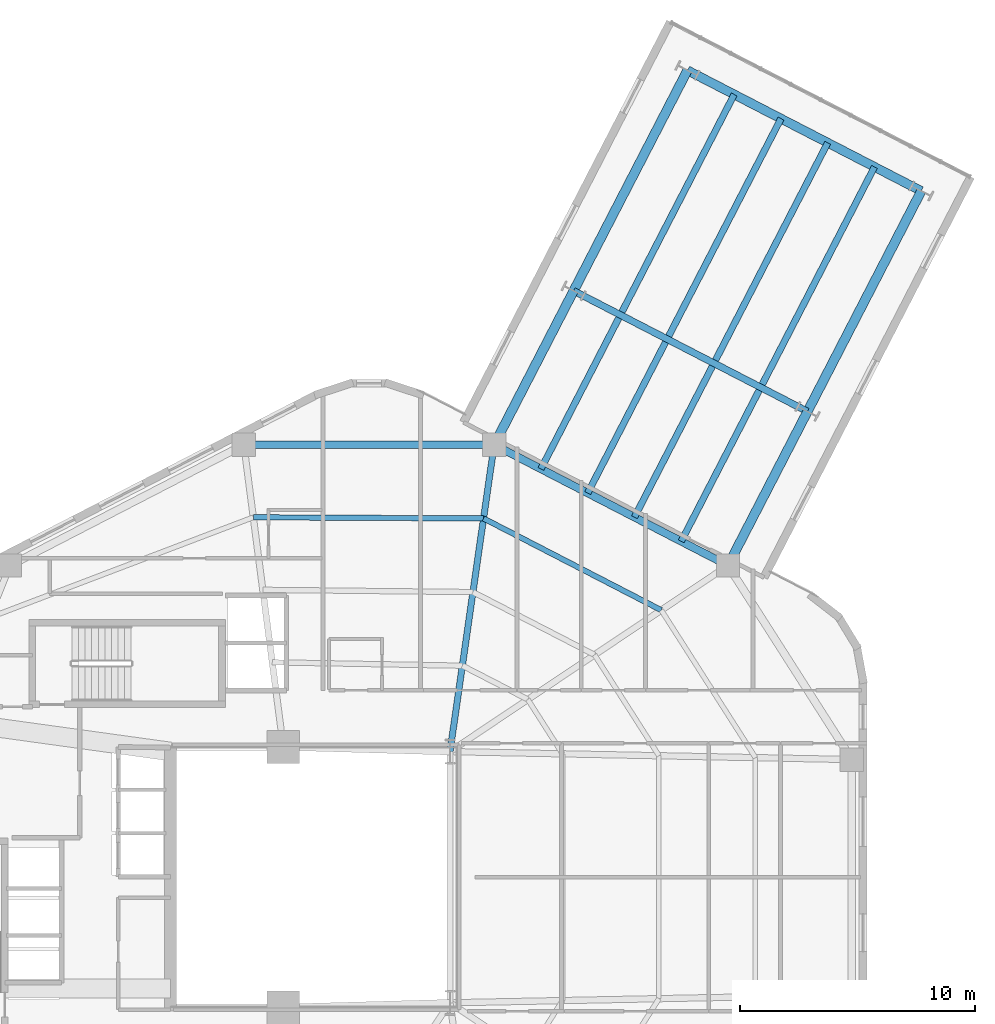
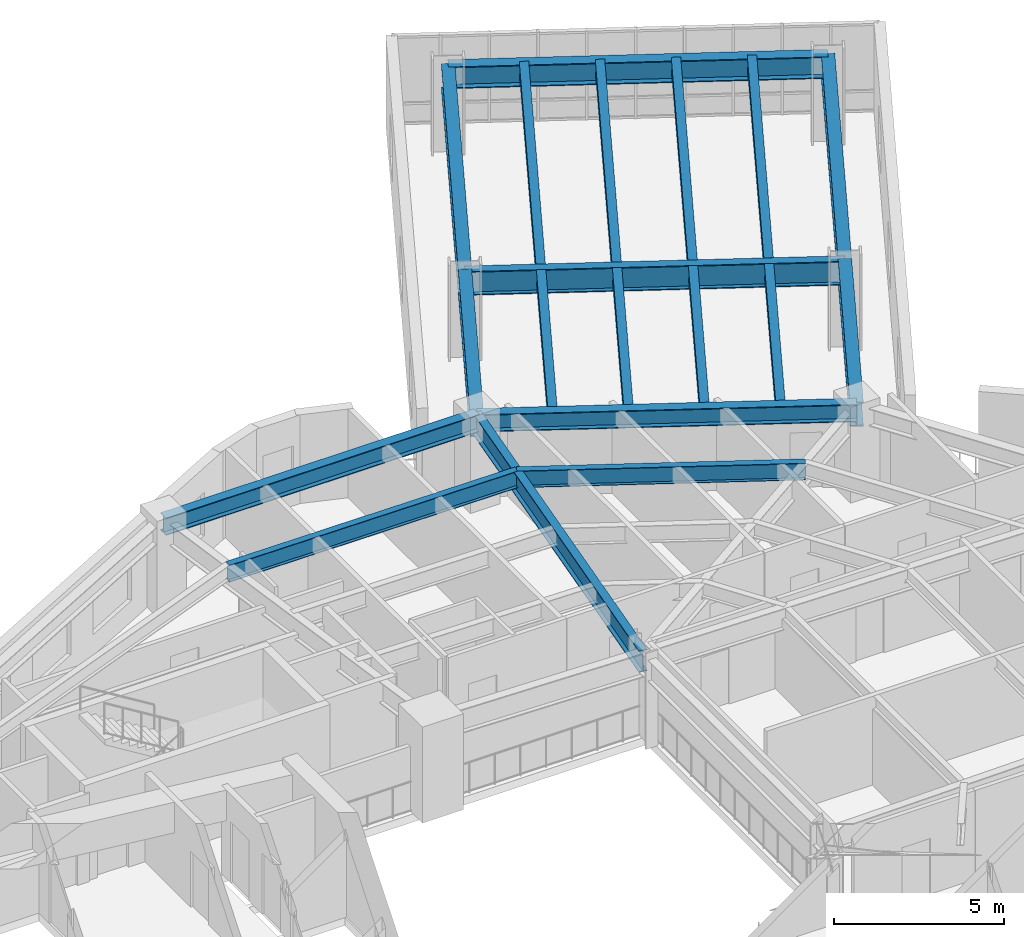
# One storey, part 2 of 11: 19 beams.
"""IFC4 building model written with IfcOpenShell, lengths in metres."""

from ifc_helpers import new_model, si_unit, direction, frame, origin, origin_2d, place, context, subcontext, project, spatial, i_section, extrude, material, material_profile, profile_set, type_object, element, save


model = new_model("IFC4")

# Units and contexts
model_context = context("Model", 3, precision=1e-05, world=origin(), true_north=direction((0.0, 1.0)))
body_context = subcontext(model_context, "Body", "Model", "MODEL_VIEW")
ifc_project = project(units=[si_unit("LENGTHUNIT", "METRE"), si_unit("AREAUNIT", "SQUARE_METRE"), si_unit("VOLUMEUNIT", "CUBIC_METRE"), si_unit("PLANEANGLEUNIT", "RADIAN"), si_unit("MASSUNIT", "GRAM", prefix="KILO"), si_unit("THERMODYNAMICTEMPERATUREUNIT", "KELVIN"), si_unit("POWERUNIT", "WATT")], contexts=[model_context])

# Site, building, storey
site_placement = place(None, origin())
site = spatial("IfcSite", under=ifc_project, at=site_placement, CompositionType="ELEMENT")
building_placement = place(site_placement, origin())
building = spatial("IfcBuilding", under=site, at=building_placement, Name="Skarre Station Tower", CompositionType="ELEMENT")
storey_placement = place(building_placement, frame((0.0, 0.0, 118.800048828125)))
storey = spatial("IfcBuildingStorey", under=building, at=storey_placement, Name="L31", CompositionType="ELEMENT", Elevation=118.800048828125)

# Beams
ifc_material = material(Name="Steel ASTM A992 Grade 50", Category="steel")
ifc_material_profile_1 = material_profile(ifc_material, i_section(OverallWidth=0.26806640625, OverallDepth=0.77001953125, WebThickness=0.01611328125, FlangeThickness=0.02490234375, at=origin_2d()), Name="Steel ASTM A992 Grade 50")
ifc_profile_set_1 = profile_set([ifc_material_profile_1], Name="Steel ASTM A992 Grade 50")
beam_type_1 = type_object("IfcBeamType", Name="Steel Beam W30X132", PredefinedType="BEAM", material=ifc_profile_set_1)
beam_1_placement = place(storey_placement, frame((39.449951171875, 29.35009765625, 2.804931640625), z_axis=(0.142480121776, 0.989797663616, 0.0), x_axis=(-0.989797663616, 0.142480121776, 0.0)))
element("IfcBeam", 1, at=beam_1_placement, inside=storey, type_object=beam_type_1, Name="L31 Radial Floor Girder F0C2", PredefinedType="BEAM", context=body_context, shape_type="SweptSolid", body=[
    extrude(i_section(OverallWidth=0.26806640625, OverallDepth=0.77001953125, WebThickness=0.01611328125, FlangeThickness=0.02490234375, at=origin_2d()), origin(), (0.0, 0.0, 1.0), 13.20263671875),
])
ifc_material_profile_2 = material_profile(ifc_material, i_section(OverallWidth=0.2919921875, OverallDepth=0.85888671875, WebThickness=0.01708984375, FlangeThickness=0.031005859375, at=origin_2d()), Name="Steel ASTM A992 Grade 50")
ifc_profile_set_2 = profile_set([ifc_material_profile_2], Name="Steel ASTM A992 Grade 50")
beam_type_2 = type_object("IfcBeamType", Name="Steel Beam W33X169", PredefinedType="BEAM", material=ifc_profile_set_2)
beam_2_placement = place(storey_placement, frame((54.676025390625, 43.8349609375, 2.73486328125), z_axis=(-0.888602901775, 0.458677318991, 0.0), x_axis=(-0.458677318991, -0.888602901775, 0.0)))
element("IfcBeam", 2, at=beam_2_placement, inside=storey, type_object=beam_type_2, Name="L31 SB-2 Mid Transverse Girder", PredefinedType="BEAM", context=body_context, shape_type="SweptSolid", body=[
    extrude(i_section(OverallWidth=0.2919921875, OverallDepth=0.85888671875, WebThickness=0.01708984375, FlangeThickness=0.031005859375, at=origin_2d()), origin(), (0.0, 0.0, 1.0), 11.20849609375),
])
ifc_material_profile_3 = material_profile(ifc_material, i_section(OverallWidth=0.40087890625, OverallDepth=0.876953125, WebThickness=0.02197265625, FlangeThickness=0.0400390625, at=origin_2d()), Name="Steel ASTM A992 Grade 50")
ifc_profile_set_3 = profile_set([ifc_material_profile_3], Name="Steel ASTM A992 Grade 50")
beam_type_3 = type_object("IfcBeamType", Name="Steel Beam W33X263", PredefinedType="BEAM", material=ifc_profile_set_3)
beam_3_placement = place(storey_placement, frame((51.291015625, 37.277099609375, 2.725830078125), z_axis=(0.45867578355, 0.888603694334, 0.0), x_axis=(-0.888603694334, 0.45867578355, 0.0)))
element("IfcBeam", 3, at=beam_3_placement, inside=storey, type_object=beam_type_3, Name="L31 SB-2 Side 1 Inner Girder", PredefinedType="BEAM", context=body_context, shape_type="SweptSolid", body=[
    extrude(i_section(OverallWidth=0.40087890625, OverallDepth=0.876953125, WebThickness=0.02197265625, FlangeThickness=0.0400390625, at=origin_2d()), origin(), (0.0, 0.0, 1.0), 7.3798828125),
])
beam_4_placement = place(storey_placement, frame((54.676025390625, 43.8349609375, 2.725830078125), z_axis=(0.458670573437, 0.88860638365, 0.0), x_axis=(-0.88860638365, 0.458670573437, 0.0)))
element("IfcBeam", 4, at=beam_4_placement, inside=storey, type_object=beam_type_3, Name="L31 SB-2 Side 1 Outer Girder", PredefinedType="BEAM", context=body_context, shape_type="SweptSolid", body=[
    extrude(i_section(OverallWidth=0.40087890625, OverallDepth=0.876953125, WebThickness=0.02197265625, FlangeThickness=0.0400390625, at=origin_2d()), origin(), (0.0, 0.0, 1.0), 10.569580078125),
])
beam_5_placement = place(storey_placement, frame((41.3310546875, 42.41796875, 2.725830078125), z_axis=(0.45866230048, 0.88861065384, 0.0), x_axis=(-0.88861065384, 0.45866230048, 0.0)))
element("IfcBeam", 5, at=beam_5_placement, inside=storey, type_object=beam_type_3, Name="L31 SB-2 Side 2 Inner Girder", PredefinedType="BEAM", context=body_context, shape_type="SweptSolid", body=[
    extrude(i_section(OverallWidth=0.40087890625, OverallDepth=0.876953125, WebThickness=0.02197265625, FlangeThickness=0.0400390625, at=origin_2d()), origin(), (0.0, 0.0, 1.0), 7.380126953125),
])
beam_6_placement = place(storey_placement, frame((44.716064453125, 48.97607421875, 2.725830078125), z_axis=(0.458679988111, 0.888601524029, 0.0), x_axis=(-0.888601524029, 0.458679988111, 0.0)))
element("IfcBeam", 6, at=beam_6_placement, inside=storey, type_object=beam_type_3, Name="L31 SB-2 Side 2 Outer Girder", PredefinedType="BEAM", context=body_context, shape_type="SweptSolid", body=[
    extrude(i_section(OverallWidth=0.40087890625, OverallDepth=0.876953125, WebThickness=0.02197265625, FlangeThickness=0.0400390625, at=origin_2d()), origin(), (0.0, 0.0, 1.0), 10.5693359375),
])
ifc_material_profile_4 = material_profile(ifc_material, i_section(OverallWidth=0.280029296875, OverallDepth=0.462890625, WebThickness=0.010986328125, FlangeThickness=0.01708984375, at=origin_2d()), Name="Steel ASTM A992 Grade 50")
ifc_profile_set_4 = profile_set([ifc_material_profile_4], Name="Steel ASTM A992 Grade 50")
beam_type_4 = type_object("IfcBeamType", Name="Steel Joist W18X76", PredefinedType="JOIST", material=ifc_profile_set_4)
beam_7_placement = place(storey_placement, frame((49.299072265625, 38.304931640625, 2.933837890625), z_axis=(0.458648076258, 0.888617995623, 0.0), x_axis=(-0.888617995623, 0.458648076258, 0.0)))
element("IfcBeam", 7, at=beam_7_placement, inside=storey, type_object=beam_type_4, Name="L31 SB-2 Inner Deck Joist 1", PredefinedType="JOIST", context=body_context, shape_type="SweptSolid", body=[
    extrude(i_section(OverallWidth=0.280029296875, OverallDepth=0.462890625, WebThickness=0.010986328125, FlangeThickness=0.01708984375, at=origin_2d()), origin(), (0.0, 0.0, 1.0), 7.236083984375),
])
beam_8_placement = place(storey_placement, frame((52.75, 44.990966796875, 2.933837890625), z_axis=(0.458688850813, 0.888596949207, 0.0), x_axis=(-0.888596949207, 0.458688850813, 0.0)))
element("IfcBeam", 8, at=beam_8_placement, inside=storey, type_object=beam_type_4, Name="L31 SB-2 Outer Deck Joist 1", PredefinedType="JOIST", context=body_context, shape_type="SweptSolid", body=[
    extrude(i_section(OverallWidth=0.280029296875, OverallDepth=0.462890625, WebThickness=0.010986328125, FlangeThickness=0.01708984375, at=origin_2d()), origin(), (0.0, 0.0, 1.0), 10.42529296875),
])
beam_9_placement = place(storey_placement, frame((47.306884765625, 39.3330078125, 2.933837890625), z_axis=(0.458688468876, 0.888597146361, 0.0), x_axis=(-0.888597146361, 0.458688468876, 0.0)))
element("IfcBeam", 9, at=beam_9_placement, inside=storey, type_object=beam_type_4, Name="L31 SB-2 Inner Deck Joist 2", PredefinedType="JOIST", context=body_context, shape_type="SweptSolid", body=[
    extrude(i_section(OverallWidth=0.280029296875, OverallDepth=0.462890625, WebThickness=0.010986328125, FlangeThickness=0.01708984375, at=origin_2d()), origin(), (0.0, 0.0, 1.0), 7.236083984375),
])
beam_10_placement = place(storey_placement, frame((50.758056640625, 46.01904296875, 2.933837890625), z_axis=(0.458688850813, 0.888596949207, 0.0), x_axis=(-0.888596949207, 0.458688850813, 0.0)))
element("IfcBeam", 10, at=beam_10_placement, inside=storey, type_object=beam_type_4, Name="L31 SB-2 Outer Deck Joist 2", PredefinedType="JOIST", context=body_context, shape_type="SweptSolid", body=[
    extrude(i_section(OverallWidth=0.280029296875, OverallDepth=0.462890625, WebThickness=0.010986328125, FlangeThickness=0.01708984375, at=origin_2d()), origin(), (0.0, 0.0, 1.0), 10.42529296875),
])
beam_11_placement = place(storey_placement, frame((45.31494140625, 40.362060546875, 2.933837890625), z_axis=(0.458688468876, 0.888597146361, 0.0), x_axis=(-0.888597146361, 0.458688468876, 0.0)))
element("IfcBeam", 11, at=beam_11_placement, inside=storey, type_object=beam_type_4, Name="L31 SB-2 Inner Deck Joist 3", PredefinedType="JOIST", context=body_context, shape_type="SweptSolid", body=[
    extrude(i_section(OverallWidth=0.280029296875, OverallDepth=0.462890625, WebThickness=0.010986328125, FlangeThickness=0.01708984375, at=origin_2d()), origin(), (0.0, 0.0, 1.0), 7.236083984375),
])
beam_12_placement = place(storey_placement, frame((48.76611328125, 47.048095703125, 2.933837890625), z_axis=(0.458688850813, 0.888596949207, 0.0), x_axis=(-0.888596949207, 0.458688850813, 0.0)))
element("IfcBeam", 12, at=beam_12_placement, inside=storey, type_object=beam_type_4, Name="L31 SB-2 Outer Deck Joist 3", PredefinedType="JOIST", context=body_context, shape_type="SweptSolid", body=[
    extrude(i_section(OverallWidth=0.280029296875, OverallDepth=0.462890625, WebThickness=0.010986328125, FlangeThickness=0.01708984375, at=origin_2d()), origin(), (0.0, 0.0, 1.0), 10.42529296875),
])
beam_13_placement = place(storey_placement, frame((43.322998046875, 41.389892578125, 2.933837890625), z_axis=(0.458674717376, 0.888604244667, 0.0), x_axis=(-0.888604244667, 0.458674717376, 0.0)))
element("IfcBeam", 13, at=beam_13_placement, inside=storey, type_object=beam_type_4, Name="L31 SB-2 Inner Deck Joist 4", PredefinedType="JOIST", context=body_context, shape_type="SweptSolid", body=[
    extrude(i_section(OverallWidth=0.280029296875, OverallDepth=0.462890625, WebThickness=0.010986328125, FlangeThickness=0.01708984375, at=origin_2d()), origin(), (0.0, 0.0, 1.0), 7.236328125),
])
beam_14_placement = place(storey_placement, frame((46.77392578125, 48.075927734375, 2.933837890625), z_axis=(0.458679306044, 0.888601876099, 0.0), x_axis=(-0.888601876099, 0.458679306044, 0.0)))
element("IfcBeam", 14, at=beam_14_placement, inside=storey, type_object=beam_type_4, Name="L31 SB-2 Outer Deck Joist 4", PredefinedType="JOIST", context=body_context, shape_type="SweptSolid", body=[
    extrude(i_section(OverallWidth=0.280029296875, OverallDepth=0.462890625, WebThickness=0.010986328125, FlangeThickness=0.01708984375, at=origin_2d()), origin(), (0.0, 0.0, 1.0), 10.425537109375),
])
ifc_material_profile_5 = material_profile(ifc_material, i_section(OverallWidth=0.22802734375, OverallDepth=0.60791015625, WebThickness=0.010986328125, FlangeThickness=0.01708984375, at=origin_2d()), Name="Steel ASTM A992 Grade 50")
ifc_profile_set_5 = profile_set([ifc_material_profile_5], Name="Steel ASTM A992 Grade 50")
beam_type_5 = type_object("IfcBeamType", Name="Steel Joist W24X76", PredefinedType="JOIST", material=ifc_profile_set_5)
beam_15_placement = place(storey_placement, frame((48.448974609375, 35.375, 2.885986328125), z_axis=(-0.888603699553, 0.45867577344, 0.0), x_axis=(-0.45867577344, -0.888603699553, 0.0)))
element("IfcBeam", 15, at=beam_15_placement, inside=storey, type_object=beam_type_5, Name="L31 Secondary Floor Joist 3", PredefinedType="JOIST", context=body_context, shape_type="SweptSolid", body=[
    extrude(i_section(OverallWidth=0.22802734375, OverallDepth=0.60791015625, WebThickness=0.010986328125, FlangeThickness=0.01708984375, at=origin_2d()), origin(), (0.0, 0.0, 1.0), 8.51806640625),
])
beam_16_placement = place(storey_placement, frame((40.8798828125, 39.281982421875, 2.885986328125), z_axis=(-0.999987976633, 0.004903732143, 0.0), x_axis=(-0.004903732143, -0.999987976633, 0.0)))
element("IfcBeam", 16, at=beam_16_placement, inside=storey, type_object=beam_type_5, Name="L31 Secondary Floor Joist 6", PredefinedType="JOIST", context=body_context, shape_type="SweptSolid", body=[
    extrude(i_section(OverallWidth=0.22802734375, OverallDepth=0.60791015625, WebThickness=0.010986328125, FlangeThickness=0.01708984375, at=origin_2d()), origin(), (0.0, 0.0, 1.0), 9.807861328125),
])
ifc_material_profile_6 = material_profile(ifc_material, i_section(OverallWidth=0.327880859375, OverallDepth=0.6279296875, WebThickness=0.01708984375, FlangeThickness=0.028076171875, at=origin_2d()), Name="Steel ASTM A992 Grade 50")
ifc_profile_set_6 = profile_set([ifc_material_profile_6], Name="Steel ASTM A992 Grade 50")
beam_type_6 = type_object("IfcBeamType", Name="Steel Spandrel W24X146", PredefinedType="SPANDREL", material=ifc_profile_set_6)
beam_17_placement = place(storey_placement, frame((51.291015625, 37.277099609375, 2.8759765625), z_axis=(-0.888611779493, 0.458660119639, 0.0), x_axis=(-0.458660119639, -0.888611779493, 0.0)))
element("IfcBeam", 17, at=beam_17_placement, inside=storey, type_object=beam_type_6, Name="L31 Facet Spandrel Beam 1", PredefinedType="SPANDREL", context=body_context, shape_type="SweptSolid", body=[
    extrude(i_section(OverallWidth=0.327880859375, OverallDepth=0.6279296875, WebThickness=0.01708984375, FlangeThickness=0.028076171875, at=origin_2d()), origin(), (0.0, 0.0, 1.0), 11.20849609375),
])
beam_18_placement = place(storey_placement, frame((41.3310546875, 42.41796875, 2.8759765625), z_axis=(-1.0, 0.0, 0.0), x_axis=(0.0, -1.0, 0.0)))
element("IfcBeam", 18, at=beam_18_placement, inside=storey, type_object=beam_type_6, Name="L31 Facet Spandrel Beam 2", PredefinedType="SPANDREL", context=body_context, shape_type="SweptSolid", body=[
    extrude(i_section(OverallWidth=0.327880859375, OverallDepth=0.6279296875, WebThickness=0.01708984375, FlangeThickness=0.028076171875, at=origin_2d()), origin(), (0.0, 0.0, 1.0), 10.662109375),
])
ifc_material_profile_7 = material_profile(ifc_material, i_section(OverallWidth=0.384033203125, OverallDepth=0.785888671875, WebThickness=0.02001953125, FlangeThickness=0.032958984375, at=origin_2d()), Name="Steel ASTM A992 Grade 50")
ifc_profile_set_7 = profile_set([ifc_material_profile_7], Name="Steel ASTM A992 Grade 50")
beam_type_7 = type_object("IfcBeamType", Name="Steel Spandrel W30X211", PredefinedType="SPANDREL", material=ifc_profile_set_7)
beam_19_placement = place(storey_placement, frame((59.52392578125, 53.22705078125, 2.77197265625), z_axis=(-0.888611779493, 0.458660119639, 0.0), x_axis=(-0.458660119639, -0.888611779493, 0.0)))
element("IfcBeam", 19, at=beam_19_placement, inside=storey, type_object=beam_type_7, Name="L31 SB-2 Prow Spandrel Girder", PredefinedType="SPANDREL", context=body_context, shape_type="SweptSolid", body=[
    extrude(i_section(OverallWidth=0.384033203125, OverallDepth=0.785888671875, WebThickness=0.02001953125, FlangeThickness=0.032958984375, at=origin_2d()), origin(), (0.0, 0.0, 1.0), 11.20849609375),
])

save(model, "model.ifc")
